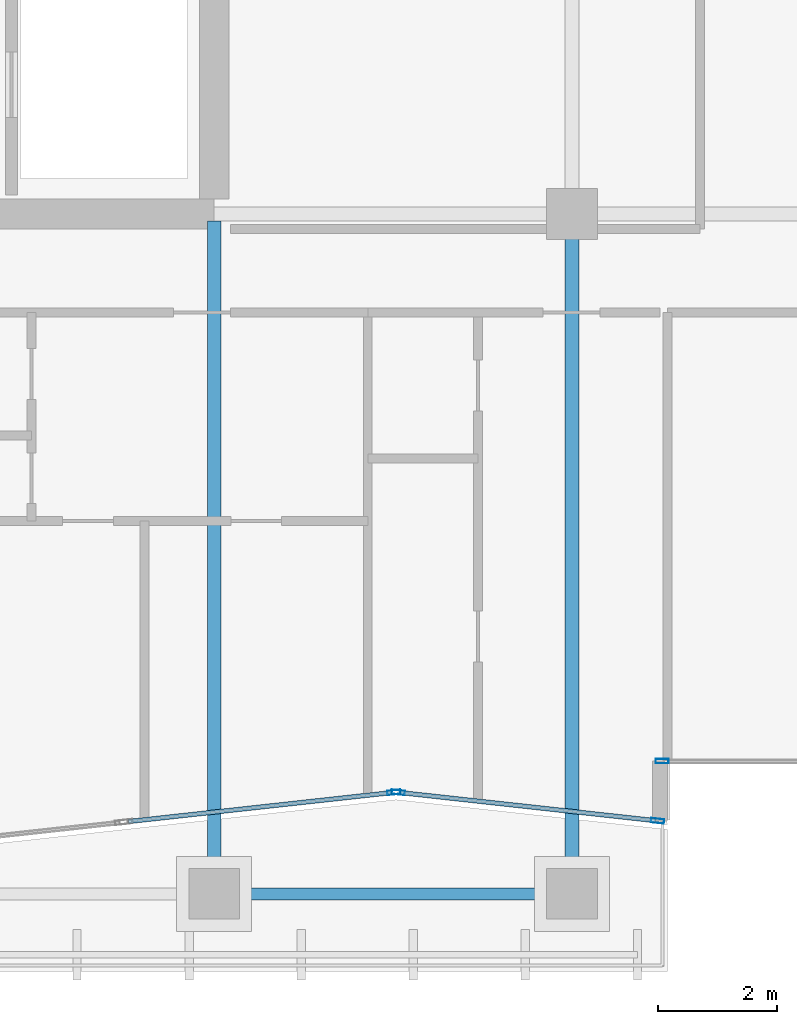
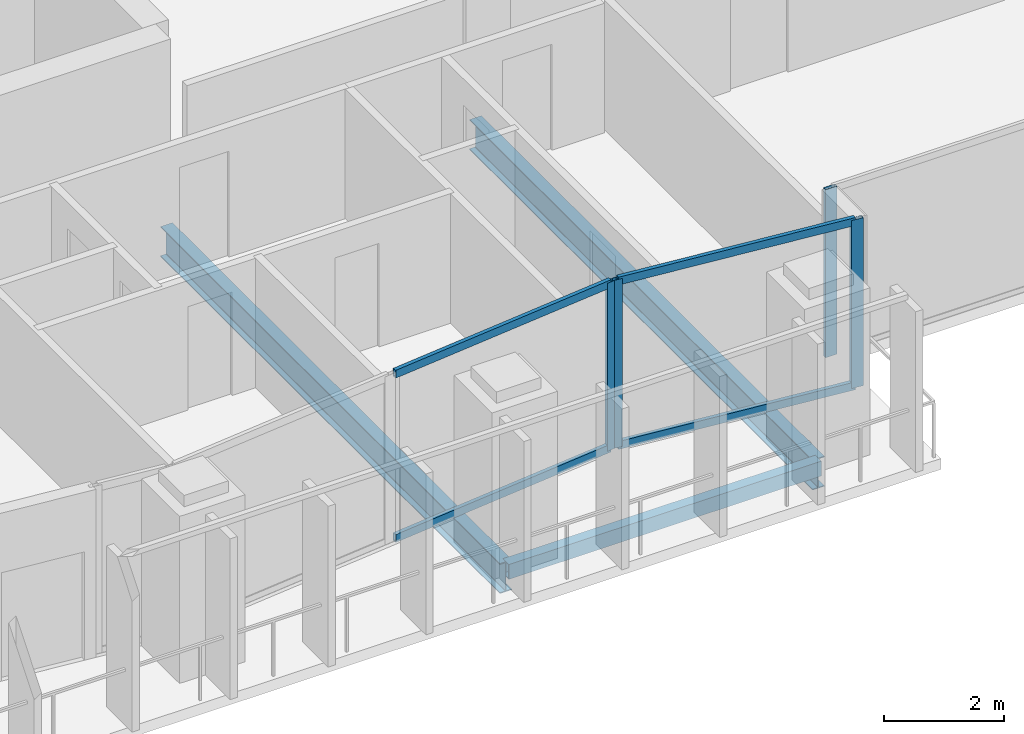
# One storey, part 3 of 28: 8 members, 3 beams, 3 elements without a shape of their own.
"""IFC4 building model written with IfcOpenShell, lengths in metres."""

from ifc_helpers import new_model, si_unit, direction, frame, origin, origin_2d, place, context, subcontext, project, spatial, hollow_rectangle, i_section, extrude, material, layer, layer_set, material_profile, profile_set, type_object, element, aggregate, save


model = new_model("IFC4")

# Units and contexts
model_context = context("Model", 3, precision=1e-05, world=origin(), true_north=direction((0.0, 1.0)))
body_context = subcontext(model_context, "Body", "Model", "MODEL_VIEW")
ifc_project = project(units=[si_unit("LENGTHUNIT", "METRE"), si_unit("AREAUNIT", "SQUARE_METRE"), si_unit("VOLUMEUNIT", "CUBIC_METRE"), si_unit("PLANEANGLEUNIT", "RADIAN"), si_unit("MASSUNIT", "GRAM", prefix="KILO")], contexts=[model_context])

# Site, building, storey
site_placement = place(None, origin())
site = spatial("IfcSite", under=ifc_project, at=site_placement, CompositionType="ELEMENT")
building_placement = place(site_placement, origin())
building = spatial("IfcBuilding", under=site, at=building_placement, Name="Tanjung Sevakor Pilgrim Tower", CompositionType="ELEMENT")
storey_placement = place(building_placement, frame((0.0, 0.0, 158.39990234375)))
storey = spatial("IfcBuildingStorey", under=building, at=storey_placement, Name="L44", CompositionType="ELEMENT", Elevation=158.39990234375)

# Beams
ifc_material_1 = material(Name="Steel S355J2", Category="steel")
ifc_material_profile_1 = material_profile(ifc_material_1, i_section(OverallWidth=0.22900390625, OverallDepth=0.6123046875, WebThickness=0.011962890625, FlangeThickness=0.01953125, FilletRadius=0.0126953125, at=origin_2d()))
ifc_profile_set_1 = profile_set([ifc_material_profile_1], Name="Steel S355J2")
beam_type_1 = type_object("IfcBeamType", Name="BM-B-G4-UB_610x229x125", PredefinedType="BEAM", material=ifc_profile_set_1)
beam_1_placement = place(storey_placement, frame((36.0, 13.199951171875, -0.526123046875), z_axis=(0.0, 1.0, 0.0), x_axis=(-1.0, 0.0, 0.0)))
element("IfcBeam", 1, at=beam_1_placement, inside=storey, type_object=beam_type_1, Name="L44 MAIN Girder 005", PredefinedType="BEAM", context=body_context, shape_type="SweptSolid", body=[
    extrude(i_section(OverallWidth=0.22900390625, OverallDepth=0.6123046875, WebThickness=0.011962890625, FlangeThickness=0.01953125, FilletRadius=0.0126953125, at=origin_2d()), origin(), (0.0, 0.0, 1.0), 11.284912109375),
])
beam_2_placement = place(storey_placement, frame((42.0, 13.199951171875, -0.526123046875), z_axis=(0.0, 1.0, 0.0), x_axis=(-1.0, 0.0, 0.0)))
element("IfcBeam", 2, at=beam_2_placement, inside=storey, type_object=beam_type_1, Name="L44 MAIN Girder 007", PredefinedType="BEAM", context=body_context, shape_type="SweptSolid", body=[
    extrude(i_section(OverallWidth=0.22900390625, OverallDepth=0.6123046875, WebThickness=0.011962890625, FlangeThickness=0.01953125, FilletRadius=0.0126953125, at=origin_2d()), origin(), (0.0, 0.0, 1.0), 11.400146484375),
])
ifc_material_2 = material(Name="Steel S355J2", Category="steel")
ifc_material_profile_2 = material_profile(ifc_material_2, hollow_rectangle(XDim=0.199951171875, YDim=0.300048828125, WallThickness=0.012451171875, at=origin_2d()))
ifc_profile_set_2 = profile_set([ifc_material_profile_2], Name="Steel S355J2")
beam_type_2 = type_object("IfcBeamType", Name="BM-B-SP3-RHS_300x200x12.5", PredefinedType="SPANDREL", material=ifc_profile_set_2)
beam_3_placement = place(storey_placement, frame((36.0, 13.199951171875, -0.369873046875), z_axis=(1.0, 0.0, 0.0), x_axis=(0.0, 1.0, 0.0)))
element("IfcBeam", 3, at=beam_3_placement, inside=storey, type_object=beam_type_2, Name="L44 Spandrel MAIN S-05", PredefinedType="SPANDREL", context=body_context, shape_type="SweptSolid", body=[
    extrude(hollow_rectangle(XDim=0.199951171875, YDim=0.300048828125, WallThickness=0.012451171875, at=origin_2d()), origin(), (0.0, 0.0, 1.0), 6.0),
])

# Curtain wall, member
ifc_material_3 = material(Name="Aluminium 6063-T6 and Low-E Glass", Category="aluminium")
ifc_layer_1 = layer(ifc_material_3, 0.199951171875)
ifc_layer_set_1 = layer_set([ifc_layer_1], Name="CW-SYS-PRAY")
curtain_wall_type_1 = type_object("IfcCurtainWallType", Name="CW-SYS-PRAY", PredefinedType="NOTDEFINED", material=ifc_layer_set_1)
curtain_wall_1_placement = place(storey_placement, origin())
curtain_wall_1 = element("IfcCurtainWall", 4, at=curtain_wall_1_placement, inside=storey, type_object=curtain_wall_type_1, Name="L44 Curtain Wall CW-PRY-L44-4", PredefinedType="NOTDEFINED")
ifc_material_4 = material(Name="Aluminium 6063-T6", Category="aluminium")
ifc_material_profile_3 = material_profile(ifc_material_4, hollow_rectangle(XDim=0.074951171875, YDim=0.219970703125, WallThickness=0.0048828125, at=origin_2d()))
ifc_profile_set_3 = profile_set([ifc_material_profile_3], Name="Aluminium 6063-T6")
member_type_1 = type_object("IfcMemberType", Name="TYPE-CWM-2", PredefinedType="MULLION", material=ifc_profile_set_3)
member_1_placement = place(storey_placement, frame((39.0126953125, 14.901611328125, 0.0), z_axis=(0.0, 0.0, 1.0), x_axis=(-0.109231369397, 0.994016351948, 0.0)))
member_1 = element("IfcMember", 5, at=member_1_placement, type_object=member_type_1, Name="CW-PRY mullion 2", PredefinedType="MULLION", context=body_context, shape_type="SweptSolid", body=[
    extrude(hollow_rectangle(XDim=0.074951171875, YDim=0.219970703125, WallThickness=0.0048828125, at=origin_2d()), origin(), (0.0, 0.0, 1.0), 3.41015625),
])

# Curtain wall, members
curtain_wall_2_placement = place(storey_placement, origin())
curtain_wall_2 = element("IfcCurtainWall", 6, at=curtain_wall_2_placement, inside=storey, type_object=curtain_wall_type_1, Name="L44 Curtain Wall CW-PRY-L44-5", PredefinedType="NOTDEFINED")
member_2_placement = place(storey_placement, frame((39.087158203125, 14.901611328125, 0.0), z_axis=(0.0, 0.0, 1.0), x_axis=(0.109240600824, 0.994015337473, 0.0)))
member_2 = element("IfcMember", 7, at=member_2_placement, type_object=member_type_1, Name="CW-PRY mullion 1", PredefinedType="MULLION", context=body_context, shape_type="SweptSolid", body=[
    extrude(hollow_rectangle(XDim=0.074951171875, YDim=0.219970703125, WallThickness=0.0048828125, at=origin_2d()), origin(), (0.0, 0.0, 1.0), 3.41015625),
])
member_3_placement = place(storey_placement, frame((43.437744140625, 14.423583984375, 0.0), z_axis=(0.0, 0.0, 1.0), x_axis=(0.109240600824, 0.994015337473, 0.0)))
member_3 = element("IfcMember", 8, at=member_3_placement, type_object=member_type_1, Name="CW-PRY mullion 2", PredefinedType="MULLION", context=body_context, shape_type="SweptSolid", body=[
    extrude(hollow_rectangle(XDim=0.074951171875, YDim=0.219970703125, WallThickness=0.0048828125, at=origin_2d()), origin(), (0.0, 0.0, 1.0), 3.41015625),
])

# Curtain wall, member
ifc_material_5 = material(Name="Aluminium 6063-T6 and Low-E Glass", Category="aluminium")
ifc_layer_2 = layer(ifc_material_5, 0.179931640625)
ifc_layer_set_2 = layer_set([ifc_layer_2], Name="CW-SYS-CLEFT")
curtain_wall_type_2 = type_object("IfcCurtainWallType", Name="CW-SYS-CLEFT", PredefinedType="NOTDEFINED", material=ifc_layer_set_2)
curtain_wall_3_placement = place(storey_placement, origin())
curtain_wall_3 = element("IfcCurtainWall", 9, at=curtain_wall_3_placement, inside=storey, type_object=curtain_wall_type_2, Name="L44 Curtain Wall CW-CLF-L44-7", PredefinedType="NOTDEFINED")
member_4_placement = place(storey_placement, frame((43.512451171875, 15.425048828125, 0.0), z_axis=(0.0, 0.0, 1.0), x_axis=(0.0, 1.0, 0.0)))
member_4 = element("IfcMember", 10, at=member_4_placement, type_object=member_type_1, Name="CW-CLF mullion 1", PredefinedType="MULLION", context=body_context, shape_type="SweptSolid", body=[
    extrude(hollow_rectangle(XDim=0.074951171875, YDim=0.219970703125, WallThickness=0.0048828125, at=origin_2d()), origin(), (0.0, 0.0, 1.0), 3.41015625),
])
aggregate(curtain_wall_3, [member_4])

# Member
ifc_material_6 = material(Name="Aluminium 6063-T6", Category="aluminium")
ifc_material_profile_4 = material_profile(ifc_material_6, hollow_rectangle(XDim=0.074951171875, YDim=0.159912109375, WallThickness=0.00439453125, at=origin_2d()))
ifc_profile_set_4 = profile_set([ifc_material_profile_4], Name="Aluminium 6063-T6")
member_type_2 = type_object("IfcMemberType", Name="TYPE-CWT-2", PredefinedType="USERDEFINED", material=ifc_profile_set_4)
member_5_placement = place(storey_placement, frame((34.560791015625, 14.41259765625, 0.03759765625), z_axis=(0.994016418781, 0.109230761206, 0.0), x_axis=(-0.109230761206, 0.994016418781, 0.0)))
member_5 = element("IfcMember", 11, at=member_5_placement, type_object=member_type_2, Name="CW-PRY transom 1.1", ObjectType="TRANSOM", PredefinedType="USERDEFINED", context=body_context, shape_type="SweptSolid", body=[
    extrude(hollow_rectangle(XDim=0.074951171875, YDim=0.159912109375, WallThickness=0.00439453125, at=origin_2d()), origin(), (0.0, 0.0, 1.0), 4.441162109375),
])

member_6_placement = place(storey_placement, frame((34.560791015625, 14.41259765625, 3.37255859375), z_axis=(0.994016418781, 0.109230761206, 0.0), x_axis=(-0.109230761206, 0.994016418781, 0.0)))
member_6 = element("IfcMember", 12, at=member_6_placement, type_object=member_type_2, Name="CW-PRY transom 1.2", ObjectType="TRANSOM", PredefinedType="USERDEFINED", context=body_context, shape_type="SweptSolid", body=[
    extrude(hollow_rectangle(XDim=0.074951171875, YDim=0.159912109375, WallThickness=0.00439453125, at=origin_2d()), origin(), (0.0, 0.0, 1.0), 4.441162109375),
])

aggregate(curtain_wall_1, [member_1, member_5, member_6])

member_7_placement = place(storey_placement, frame((39.12451171875, 14.897705078125, 0.03759765625), z_axis=(0.994013851604, -0.10925412038, 0.0), x_axis=(0.10925412038, 0.994013851604, 0.0)))
member_7 = element("IfcMember", 13, at=member_7_placement, type_object=member_type_2, Name="CW-PRY transom 1.1", ObjectType="TRANSOM", PredefinedType="USERDEFINED", context=body_context, shape_type="SweptSolid", body=[
    extrude(hollow_rectangle(XDim=0.074951171875, YDim=0.159912109375, WallThickness=0.00439453125, at=origin_2d()), origin(), (0.0, 0.0, 1.0), 4.301513671875),
])

member_8_placement = place(storey_placement, frame((39.12451171875, 14.897705078125, 3.37255859375), z_axis=(0.994013851604, -0.10925412038, 0.0), x_axis=(0.10925412038, 0.994013851604, 0.0)))
member_8 = element("IfcMember", 14, at=member_8_placement, type_object=member_type_2, Name="CW-PRY transom 1.2", ObjectType="TRANSOM", PredefinedType="USERDEFINED", context=body_context, shape_type="SweptSolid", body=[
    extrude(hollow_rectangle(XDim=0.074951171875, YDim=0.159912109375, WallThickness=0.00439453125, at=origin_2d()), origin(), (0.0, 0.0, 1.0), 4.301513671875),
])

aggregate(curtain_wall_2, [member_2, member_3, member_7, member_8])

save(model, "model.ifc")
